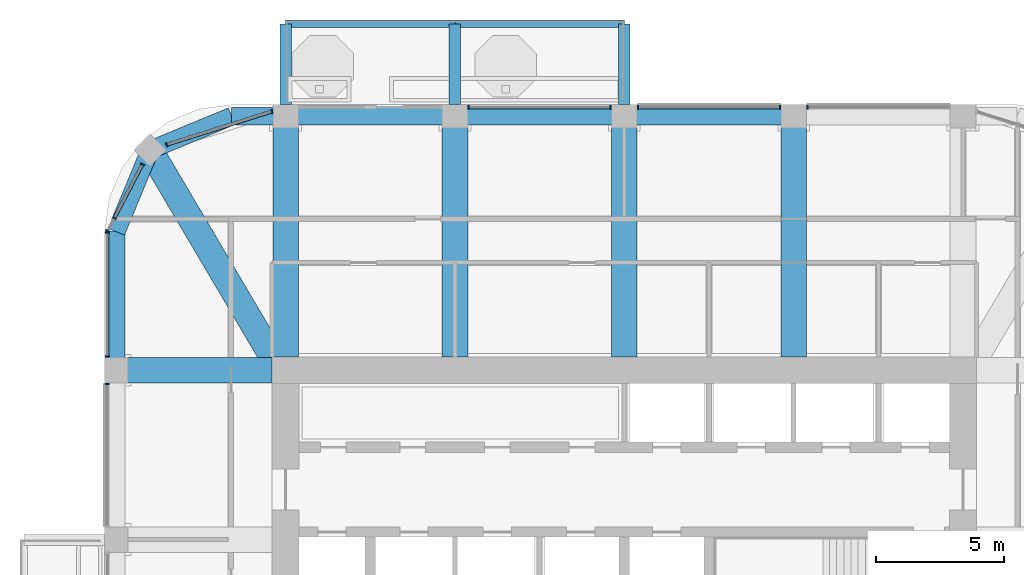
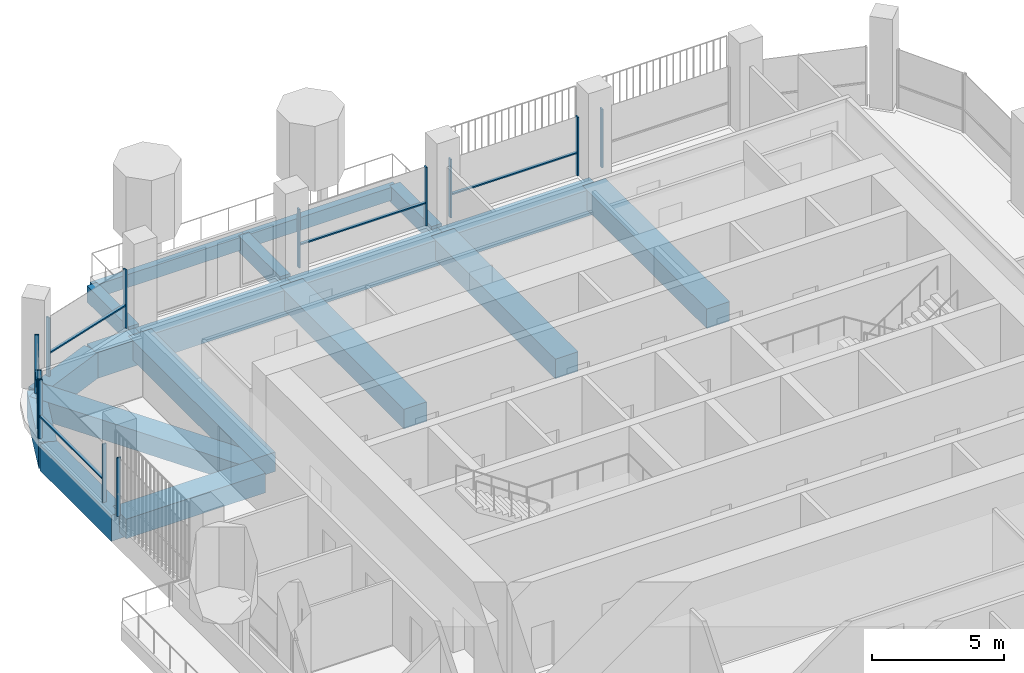
# One storey, part 5 of 19: 18 beams, 18 members, 7 elements without a shape of their own.
"""IFC4 building model written with IfcOpenShell, lengths in metres."""

from ifc_helpers import new_model, si_unit, direction, frame, origin, origin_2d, place, context, subcontext, project, spatial, rectangle, extrude, material, material_profile, profile_set, type_object, element, aggregate, save


model = new_model("IFC4")

# Units and contexts
model_context = context("Model", 3, precision=1e-05, world=origin(), true_north=direction((0.0, 1.0)))
body_context = subcontext(model_context, "Body", "Model", "MODEL_VIEW")
ifc_project = project(units=[si_unit("LENGTHUNIT", "METRE"), si_unit("AREAUNIT", "SQUARE_METRE"), si_unit("VOLUMEUNIT", "CUBIC_METRE"), si_unit("PLANEANGLEUNIT", "RADIAN"), si_unit("MASSUNIT", "GRAM", prefix="KILO")], contexts=[model_context])

# Site, building, storey
site_placement = place(None, origin())
site = spatial("IfcSite", under=ifc_project, at=site_placement, CompositionType="ELEMENT")
building_placement = place(site_placement, origin())
building = spatial("IfcBuilding", under=site, at=building_placement, Name="Cobogo Forest Laboratory Tower", CompositionType="ELEMENT")
storey_placement = place(building_placement, frame((0.0, 0.0, 262.800048828125)))
storey = spatial("IfcBuildingStorey", under=building, at=storey_placement, Name="L60", CompositionType="ELEMENT", Elevation=262.800048828125)

# Beams
ifc_material_1 = material(Name="Concrete HA-40 (C40/50)", Category="concrete")
ifc_material_profile_1 = material_profile(ifc_material_1, rectangle(XDim=0.449951171875, YDim=0.75, at=origin_2d()), Name="RC 450x750")
ifc_profile_set_1 = profile_set([ifc_material_profile_1], Name="Concrete HA-40 (C40/50)")
beam_type_1 = type_object("IfcBeamType", Name="Balcony cantilever beam 450x750", PredefinedType="BEAM", material=ifc_profile_set_1)
for number, where, z_axis, x_axis, name in (
    (1, (13.199951171875, 43.35009765625, -0.625), (0.0, 1.0, 0.0), (-1.0, 0.0, 0.0), "CB1 BAL-N1-C1 L60"),
    (2, (19.800048828125, 43.35009765625, -0.625), (0.0, 1.0, 0.0), (-1.0, 0.0, 0.0), "CB1 BAL-N1-C2 L60"),
    (3, (26.39990234375, 43.35009765625, -0.625), (0.0, 1.0, 0.0), (-1.0, 0.0, 0.0), "CB1 BAL-N1-C3 L60"),
):
    element("IfcBeam", number, at=place(storey_placement, frame(where, z_axis=z_axis, x_axis=x_axis)), inside=storey, type_object=beam_type_1, Name=name, PredefinedType="BEAM", context=body_context, shape_type="SweptSolid", body=[
        extrude(rectangle(XDim=0.449951171875, YDim=0.75, at=origin_2d()), origin(), (0.0, 0.0, 1.0), 3.14990234375),
    ])
ifc_material_profile_2 = material_profile(ifc_material_1, rectangle(XDim=0.300048828125, YDim=0.60009765625, at=origin_2d()), Name="RC 300x600")
ifc_profile_set_2 = profile_set([ifc_material_profile_2], Name="Concrete HA-40 (C40/50)")
beam_type_2 = type_object("IfcBeamType", Name="Balcony edge beam 300x600", PredefinedType="BEAM", material=ifc_profile_set_2)
beam_1_placement = place(storey_placement, frame((13.199951171875, 46.5, -0.550048828125), z_axis=(1.0, 0.0, 0.0), x_axis=(0.0, 1.0, 0.0)))
element("IfcBeam", 4, at=beam_1_placement, inside=storey, type_object=beam_type_2, Name="BB1 BAL-N1-T1 L60", PredefinedType="BEAM", context=body_context, shape_type="SweptSolid", body=[
    extrude(rectangle(XDim=0.300048828125, YDim=0.60009765625, at=origin_2d()), origin(), (0.0, 0.0, 1.0), 6.60009765625),
])
beam_2_placement = place(storey_placement, frame((19.800048828125, 46.5, -0.550048828125), z_axis=(1.0, 0.0, 0.0), x_axis=(0.0, 1.0, 0.0)))
element("IfcBeam", 5, at=beam_2_placement, inside=storey, type_object=beam_type_2, Name="BB1 BAL-N1-T2 L60", PredefinedType="BEAM", context=body_context, shape_type="SweptSolid", body=[
    extrude(rectangle(XDim=0.300048828125, YDim=0.60009765625, at=origin_2d()), origin(), (0.0, 0.0, 1.0), 6.599853515625),
])

# Curtain wall, member
ifc_material_2 = material(Name="Aluminium curtain wall", Category="aluminium")
curtain_wall_type = type_object("IfcCurtainWallType", Name="CW-2 unitised curtain wall, solar control glazing, laboratory floors zones C and D", PredefinedType="USERDEFINED", material=ifc_material_2)
curtain_wall_1_placement = place(storey_placement, origin())
curtain_wall_1 = element("IfcCurtainWall", 6, at=curtain_wall_1_placement, inside=storey, type_object=curtain_wall_type, Name="Curtain wall 14 L60", ObjectType="UNITISED CURTAIN WALL", PredefinedType="USERDEFINED")
ifc_material_3 = material(Name="Aluminium mullion", Category="aluminium")
ifc_material_profile_3 = material_profile(ifc_material_3, rectangle(XDim=0.06005859375, YDim=0.159912109375, at=origin_2d()), Name="AL 60x160")
ifc_profile_set_3 = profile_set([ifc_material_profile_3], Name="Aluminium mullion")
member_type_1 = type_object("IfcMemberType", Name="MU-1 aluminium mullion 60x160", PredefinedType="MULLION", material=ifc_profile_set_3)
member_1_placement = place(storey_placement, frame((33.530029296875, 43.25, 0.0), z_axis=(0.0, 0.0, 1.0), x_axis=(-1.0, 0.0, 0.0)))
member_1 = element("IfcMember", 7, at=member_1_placement, type_object=member_type_1, Name="CW-2 mullion 2", PredefinedType="MULLION", context=body_context, shape_type="SweptSolid", body=[
    extrude(rectangle(XDim=0.06005859375, YDim=0.159912109375, at=origin_2d()), origin(), (0.0, 0.0, 1.0), 2.699951171875),
])
aggregate(curtain_wall_1, [member_1])

# Curtain wall, members
curtain_wall_2_placement = place(storey_placement, origin())
curtain_wall_2 = element("IfcCurtainWall", 8, at=curtain_wall_2_placement, inside=storey, type_object=curtain_wall_type, Name="Curtain wall 15 L60", ObjectType="UNITISED CURTAIN WALL", PredefinedType="USERDEFINED")
member_2_placement = place(storey_placement, frame((32.469970703125, 43.25, 0.0), z_axis=(0.0, 0.0, 1.0), x_axis=(-1.0, 0.0, 0.0)))
member_2 = element("IfcMember", 9, at=member_2_placement, type_object=member_type_1, Name="CW-2 mullion 1", PredefinedType="MULLION", context=body_context, shape_type="SweptSolid", body=[
    extrude(rectangle(XDim=0.06005859375, YDim=0.159912109375, at=origin_2d()), origin(), (0.0, 0.0, 1.0), 2.699951171875),
])
member_3_placement = place(storey_placement, frame((26.929931640625, 43.25, 0.0), z_axis=(0.0, 0.0, 1.0), x_axis=(-1.0, 0.0, 0.0)))
member_3 = element("IfcMember", 10, at=member_3_placement, type_object=member_type_1, Name="CW-2 mullion 2", PredefinedType="MULLION", context=body_context, shape_type="SweptSolid", body=[
    extrude(rectangle(XDim=0.06005859375, YDim=0.159912109375, at=origin_2d()), origin(), (0.0, 0.0, 1.0), 2.699951171875),
])

curtain_wall_3_placement = place(storey_placement, origin())
curtain_wall_3 = element("IfcCurtainWall", 11, at=curtain_wall_3_placement, inside=storey, type_object=curtain_wall_type, Name="Curtain wall 16 L60", ObjectType="UNITISED CURTAIN WALL", PredefinedType="USERDEFINED")
member_4_placement = place(storey_placement, frame((25.8701171875, 43.25, 0.0), z_axis=(0.0, 0.0, 1.0), x_axis=(-1.0, 0.0, 0.0)))
member_4 = element("IfcMember", 12, at=member_4_placement, type_object=member_type_1, Name="CW-2 mullion 1", PredefinedType="MULLION", context=body_context, shape_type="SweptSolid", body=[
    extrude(rectangle(XDim=0.06005859375, YDim=0.159912109375, at=origin_2d()), origin(), (0.0, 0.0, 1.0), 2.699951171875),
])
member_5_placement = place(storey_placement, frame((20.330078125, 43.25, 0.0), z_axis=(0.0, 0.0, 1.0), x_axis=(-1.0, 0.0, 0.0)))
member_5 = element("IfcMember", 13, at=member_5_placement, type_object=member_type_1, Name="CW-2 mullion 2", PredefinedType="MULLION", context=body_context, shape_type="SweptSolid", body=[
    extrude(rectangle(XDim=0.06005859375, YDim=0.159912109375, at=origin_2d()), origin(), (0.0, 0.0, 1.0), 2.699951171875),
])

curtain_wall_4_placement = place(storey_placement, origin())
curtain_wall_4 = element("IfcCurtainWall", 14, at=curtain_wall_4_placement, inside=storey, type_object=curtain_wall_type, Name="Curtain wall 18 L60", ObjectType="UNITISED CURTAIN WALL", PredefinedType="USERDEFINED")
member_6_placement = place(storey_placement, frame((12.67138671875, 43.0830078125, 0.0), z_axis=(0.0, 0.0, 1.0), x_axis=(-0.953581379409, -0.301135439371, 0.0)))
member_6 = element("IfcMember", 15, at=member_6_placement, type_object=member_type_1, Name="CW-2 mullion 1", PredefinedType="MULLION", context=body_context, shape_type="SweptSolid", body=[
    extrude(rectangle(XDim=0.06005859375, YDim=0.159912109375, at=origin_2d()), origin(), (0.0, 0.0, 1.0), 2.699951171875),
])
member_7_placement = place(storey_placement, frame((8.570068359375, 41.787841796875, 0.0), z_axis=(0.0, 0.0, 1.0), x_axis=(-0.953581379409, -0.301135439371, 0.0)))
member_7 = element("IfcMember", 16, at=member_7_placement, type_object=member_type_1, Name="CW-2 mullion 2", PredefinedType="MULLION", context=body_context, shape_type="SweptSolid", body=[
    extrude(rectangle(XDim=0.06005859375, YDim=0.159912109375, at=origin_2d()), origin(), (0.0, 0.0, 1.0), 2.699951171875),
])

curtain_wall_5_placement = place(storey_placement, origin())
curtain_wall_5 = element("IfcCurtainWall", 17, at=curtain_wall_5_placement, inside=storey, type_object=curtain_wall_type, Name="Curtain wall 19 L60", ObjectType="UNITISED CURTAIN WALL", PredefinedType="USERDEFINED")
member_8_placement = place(storey_placement, frame((7.6220703125, 41.017333984375, 0.0), z_axis=(0.0, 0.0, 1.0), x_axis=(-0.464283778337, -0.885686498245, 0.0)))
member_8 = element("IfcMember", 18, at=member_8_placement, type_object=member_type_1, Name="CW-2 mullion 1", PredefinedType="MULLION", context=body_context, shape_type="SweptSolid", body=[
    extrude(rectangle(XDim=0.06005859375, YDim=0.159912109375, at=origin_2d()), origin(), (0.0, 0.0, 1.0), 2.699951171875),
])
member_9_placement = place(storey_placement, frame((6.531494140625, 38.937255859375, 0.0), z_axis=(0.0, 0.0, 1.0), x_axis=(-0.464283778337, -0.885686498245, 0.0)))
member_9 = element("IfcMember", 19, at=member_9_placement, type_object=member_type_1, Name="CW-2 mullion 2", PredefinedType="MULLION", context=body_context, shape_type="SweptSolid", body=[
    extrude(rectangle(XDim=0.06005859375, YDim=0.159912109375, at=origin_2d()), origin(), (0.0, 0.0, 1.0), 2.699951171875),
])
member_10_placement = place(storey_placement, frame((6.263916015625, 38.426513671875, 0.0), z_axis=(0.0, 0.0, 1.0), x_axis=(-0.464283778337, -0.885686498245, 0.0)))
member_10 = element("IfcMember", 20, at=member_10_placement, type_object=member_type_1, Name="CW-2 mullion 3", PredefinedType="MULLION", context=body_context, shape_type="SweptSolid", body=[
    extrude(rectangle(XDim=0.06005859375, YDim=0.159912109375, at=origin_2d()), origin(), (0.0, 0.0, 1.0), 2.699951171875),
])

curtain_wall_6_placement = place(storey_placement, origin())
curtain_wall_6 = element("IfcCurtainWall", 21, at=curtain_wall_6_placement, inside=storey, type_object=curtain_wall_type, Name="Curtain wall 20 L60", ObjectType="UNITISED CURTAIN WALL", PredefinedType="USERDEFINED")
member_11_placement = place(storey_placement, frame((6.25, 38.3701171875, 0.0), z_axis=(0.0, 0.0, 1.0), x_axis=(0.0, -1.0, 0.0)))
member_11 = element("IfcMember", 22, at=member_11_placement, type_object=member_type_1, Name="CW-2 mullion 1", PredefinedType="MULLION", context=body_context, shape_type="SweptSolid", body=[
    extrude(rectangle(XDim=0.06005859375, YDim=0.159912109375, at=origin_2d()), origin(), (0.0, 0.0, 1.0), 2.699951171875),
])
member_12_placement = place(storey_placement, frame((6.25, 33.530029296875, 0.0), z_axis=(0.0, 0.0, 1.0), x_axis=(0.0, -1.0, 0.0)))
member_12 = element("IfcMember", 23, at=member_12_placement, type_object=member_type_1, Name="CW-2 mullion 2", PredefinedType="MULLION", context=body_context, shape_type="SweptSolid", body=[
    extrude(rectangle(XDim=0.06005859375, YDim=0.159912109375, at=origin_2d()), origin(), (0.0, 0.0, 1.0), 2.699951171875),
])

# Curtain wall, member
curtain_wall_7_placement = place(storey_placement, origin())
curtain_wall_7 = element("IfcCurtainWall", 24, at=curtain_wall_7_placement, inside=storey, type_object=curtain_wall_type, Name="Curtain wall 21 L60", ObjectType="UNITISED CURTAIN WALL", PredefinedType="USERDEFINED")
member_13_placement = place(storey_placement, frame((6.25, 32.469970703125, 0.0), z_axis=(0.0, 0.0, 1.0), x_axis=(0.0, -1.0, 0.0)))
member_13 = element("IfcMember", 25, at=member_13_placement, type_object=member_type_1, Name="CW-2 mullion 1", PredefinedType="MULLION", context=body_context, shape_type="SweptSolid", body=[
    extrude(rectangle(XDim=0.06005859375, YDim=0.159912109375, at=origin_2d()), origin(), (0.0, 0.0, 1.0), 2.699951171875),
])
aggregate(curtain_wall_7, [member_13])

# Beams
ifc_material_profile_4 = material_profile(ifc_material_1, rectangle(XDim=1.0, YDim=0.89990234375, at=origin_2d()), Name="RC 1000x900")
ifc_profile_set_4 = profile_set([ifc_material_profile_4], Name="Concrete HA-40 (C40/50)")
beam_type_3 = type_object("IfcBeamType", Name="Office floor wide beam 1000x900", PredefinedType="BEAM", material=ifc_profile_set_4)
for number, where, z_axis, x_axis, name in (
    (26, (13.199951171875, 33.52490234375, -0.75), (0.0, 1.0, 0.0), (-1.0, 0.0, 0.0), "RB2 R-3-N L60"),
    (27, (19.800048828125, 33.52490234375, -0.75), (0.0, 1.0, 0.0), (-1.0, 0.0, 0.0), "RB2 R-4-N L60"),
    (28, (26.39990234375, 33.52490234375, -0.75), (0.0, 1.0, 0.0), (-1.0, 0.0, 0.0), "RB2 R-5-N L60"),
    (29, (33.0, 33.52490234375, -0.75), (0.0, 1.0, 0.0), (-1.0, 0.0, 0.0), "RB2 R-6-N L60"),
):
    element("IfcBeam", number, at=place(storey_placement, frame(where, z_axis=z_axis, x_axis=x_axis)), inside=storey, type_object=beam_type_3, Name=name, PredefinedType="BEAM", context=body_context, shape_type="SweptSolid", body=[
        extrude(rectangle(XDim=1.0, YDim=0.89990234375, at=origin_2d()), origin(), (0.0, 0.0, 1.0), 9.375),
    ])
beam_3_placement = place(storey_placement, frame((12.675048828125, 33.0, -0.75), z_axis=(-1.0, 0.0, 0.0), x_axis=(0.0, -1.0, 0.0)))
element("IfcBeam", 30, at=beam_3_placement, inside=storey, type_object=beam_type_3, Name="RB2 R-F-W L60", PredefinedType="BEAM", context=body_context, shape_type="SweptSolid", body=[
    extrude(rectangle(XDim=1.0, YDim=0.89990234375, at=origin_2d()), origin(), (0.0, 0.0, 1.0), 6.074951171875),
])
beam_4_placement = place(storey_placement, frame((7.91796875, 41.58203125, -0.75), z_axis=(0.508416325908, -0.861111397875, 0.0), x_axis=(0.861111397875, 0.508416325908, 0.0)))
element("IfcBeam", 31, at=beam_4_placement, inside=storey, type_object=beam_type_3, Name="RB2 G-NW-D1 L60", PredefinedType="BEAM", context=body_context, shape_type="SweptSolid", body=[
    extrude(rectangle(XDim=1.0, YDim=0.89990234375, at=origin_2d()), origin(), (0.0, 0.0, 1.0), 9.356689453125),
])
ifc_material_profile_5 = material_profile(ifc_material_1, rectangle(XDim=0.699951171875, YDim=1.199951171875, at=origin_2d()), Name="RC 700x1200")
ifc_profile_set_5 = profile_set([ifc_material_profile_5], Name="Concrete HA-40 (C40/50)")
beam_type_4 = type_object("IfcBeamType", Name="Perimeter edge beam 700x1200", PredefinedType="BEAM", material=ifc_profile_set_5)
beam_5_placement = place(storey_placement, frame((13.199951171875, 42.89990234375, -0.900146484375), z_axis=(1.0, 0.0, 0.0), x_axis=(0.0, 1.0, 0.0)))
element("IfcBeam", 32, at=beam_5_placement, inside=storey, type_object=beam_type_4, Name="EB1 E-N1 L60", PredefinedType="BEAM", context=body_context, shape_type="SweptSolid", body=[
    extrude(rectangle(XDim=0.699951171875, YDim=1.199951171875, at=origin_2d()), origin(), (0.0, 0.0, 1.0), 6.60009765625),
])
beam_6_placement = place(storey_placement, frame((19.800048828125, 42.89990234375, -0.900146484375), z_axis=(1.0, 0.0, 0.0), x_axis=(0.0, 1.0, 0.0)))
element("IfcBeam", 33, at=beam_6_placement, inside=storey, type_object=beam_type_4, Name="EB1 E-N2 L60", PredefinedType="BEAM", context=body_context, shape_type="SweptSolid", body=[
    extrude(rectangle(XDim=0.699951171875, YDim=1.199951171875, at=origin_2d()), origin(), (0.0, 0.0, 1.0), 6.599853515625),
])
beam_7_placement = place(storey_placement, frame((26.39990234375, 42.89990234375, -0.900146484375), z_axis=(1.0, 0.0, 0.0), x_axis=(0.0, 1.0, 0.0)))
element("IfcBeam", 34, at=beam_7_placement, inside=storey, type_object=beam_type_4, Name="EB1 E-N3 L60", PredefinedType="BEAM", context=body_context, shape_type="SweptSolid", body=[
    extrude(rectangle(XDim=0.699951171875, YDim=1.199951171875, at=origin_2d()), origin(), (0.0, 0.0, 1.0), 6.60009765625),
])
beam_8_placement = place(storey_placement, frame((13.199951171875, 42.89990234375, -0.900146484375), z_axis=(-1.0, 0.0, 0.0), x_axis=(0.0, -1.0, 0.0)))
element("IfcBeam", 35, at=beam_8_placement, inside=storey, type_object=beam_type_4, Name="EB1 E-NWN1 L60", PredefinedType="BEAM", context=body_context, shape_type="SweptSolid", body=[
    extrude(rectangle(XDim=0.699951171875, YDim=1.199951171875, at=origin_2d()), origin(), (0.0, 0.0, 1.0), 2.099853515625),
])
beam_9_placement = place(storey_placement, frame((11.10009765625, 42.89990234375, -0.900146484375), z_axis=(-0.923901072997, -0.382631424892, 0.0), x_axis=(0.382631424892, -0.923901072997, 0.0)))
element("IfcBeam", 36, at=beam_9_placement, inside=storey, type_object=beam_type_4, Name="EB1 E-NWN2 L60", PredefinedType="BEAM", context=body_context, shape_type="SweptSolid", body=[
    extrude(rectangle(XDim=0.699951171875, YDim=1.199951171875, at=origin_2d()), origin(), (0.0, 0.0, 1.0), 3.4443359375),
])
beam_10_placement = place(storey_placement, frame((6.60009765625, 33.0, -0.900146484375), z_axis=(0.0, 1.0, 0.0), x_axis=(-1.0, 0.0, 0.0)))
element("IfcBeam", 37, at=beam_10_placement, inside=storey, type_object=beam_type_4, Name="EB1 E-NWW1 L60", PredefinedType="BEAM", context=body_context, shape_type="SweptSolid", body=[
    extrude(rectangle(XDim=0.699951171875, YDim=1.199951171875, at=origin_2d()), origin(), (0.0, 0.0, 1.0), 5.39990234375),
])
beam_11_placement = place(storey_placement, frame((6.60009765625, 38.39990234375, -0.900146484375), z_axis=(0.382631424892, 0.923901072997, 0.0), x_axis=(-0.923901072997, 0.382631424892, 0.0)))
element("IfcBeam", 38, at=beam_11_placement, inside=storey, type_object=beam_type_4, Name="EB1 E-NWW2 L60", PredefinedType="BEAM", context=body_context, shape_type="SweptSolid", body=[
    extrude(rectangle(XDim=0.699951171875, YDim=1.199951171875, at=origin_2d()), origin(), (0.0, 0.0, 1.0), 3.4443359375),
])

# Member
ifc_material_4 = material(Name="Aluminium transom", Category="aluminium")
ifc_material_profile_6 = material_profile(ifc_material_4, rectangle(XDim=0.1201171875, YDim=0.06005859375, at=origin_2d()), Name="AL 60x120")
ifc_profile_set_6 = profile_set([ifc_material_profile_6], Name="Aluminium transom")
member_type_2 = type_object("IfcMemberType", Name="TR-1 aluminium transom 60x120", PredefinedType="USERDEFINED", material=ifc_profile_set_6)
member_14_placement = place(storey_placement, frame((32.43994140625, 43.25, 1.050048828125), z_axis=(-1.0, 0.0, 0.0), x_axis=(0.0, -1.0, 0.0)))
member_14 = element("IfcMember", 39, at=member_14_placement, type_object=member_type_2, Name="CW-2 transom 1.1", ObjectType="TRANSOM", PredefinedType="USERDEFINED", context=body_context, shape_type="SweptSolid", body=[
    extrude(rectangle(XDim=0.1201171875, YDim=0.06005859375, at=origin_2d()), origin(), (0.0, 0.0, 1.0), 5.47998046875),
])

aggregate(curtain_wall_2, [member_2, member_3, member_14])

member_15_placement = place(storey_placement, frame((25.840087890625, 43.25, 1.050048828125), z_axis=(-1.0, 0.0, 0.0), x_axis=(0.0, -1.0, 0.0)))
member_15 = element("IfcMember", 40, at=member_15_placement, type_object=member_type_2, Name="CW-2 transom 1.1", ObjectType="TRANSOM", PredefinedType="USERDEFINED", context=body_context, shape_type="SweptSolid", body=[
    extrude(rectangle(XDim=0.1201171875, YDim=0.06005859375, at=origin_2d()), origin(), (0.0, 0.0, 1.0), 5.47998046875),
])

aggregate(curtain_wall_3, [member_4, member_5, member_15])

member_16_placement = place(storey_placement, frame((12.642822265625, 43.073974609375, 1.050048828125), z_axis=(-0.953583535148, -0.30112861288, 0.0), x_axis=(0.30112861288, -0.953583535148, 0.0)))
member_16 = element("IfcMember", 41, at=member_16_placement, type_object=member_type_2, Name="CW-2 transom 1.1", ObjectType="TRANSOM", PredefinedType="USERDEFINED", context=body_context, shape_type="SweptSolid", body=[
    extrude(rectangle(XDim=0.1201171875, YDim=0.06005859375, at=origin_2d()), origin(), (0.0, 0.0, 1.0), 4.240966796875),
])

aggregate(curtain_wall_4, [member_6, member_7, member_16])

member_17_placement = place(storey_placement, frame((7.608154296875, 40.99072265625, 1.050048828125), z_axis=(-0.464325829823, -0.885664453255, 0.0), x_axis=(0.885664453255, -0.464325829823, 0.0)))
member_17 = element("IfcMember", 42, at=member_17_placement, type_object=member_type_2, Name="CW-2 transom 1.1", ObjectType="TRANSOM", PredefinedType="USERDEFINED", context=body_context, shape_type="SweptSolid", body=[
    extrude(rectangle(XDim=0.1201171875, YDim=0.06005859375, at=origin_2d()), origin(), (0.0, 0.0, 1.0), 2.288818359375),
])

aggregate(curtain_wall_5, [member_8, member_9, member_10, member_17])

member_18_placement = place(storey_placement, frame((6.25, 38.340087890625, 1.050048828125), z_axis=(0.0, -1.0, 0.0), x_axis=(1.0, 0.0, 0.0)))
member_18 = element("IfcMember", 43, at=member_18_placement, type_object=member_type_2, Name="CW-2 transom 1.1", ObjectType="TRANSOM", PredefinedType="USERDEFINED", context=body_context, shape_type="SweptSolid", body=[
    extrude(rectangle(XDim=0.1201171875, YDim=0.06005859375, at=origin_2d()), origin(), (0.0, 0.0, 1.0), 4.780029296875),
])

aggregate(curtain_wall_6, [member_11, member_12, member_18])

save(model, "model.ifc")
